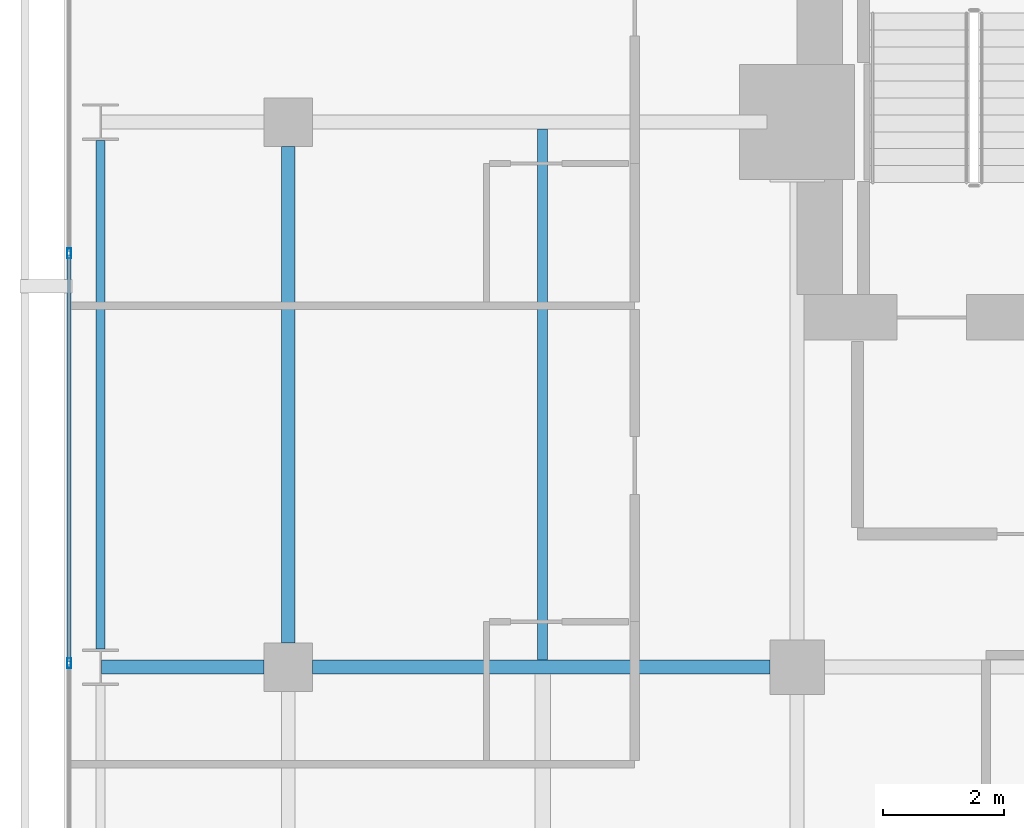
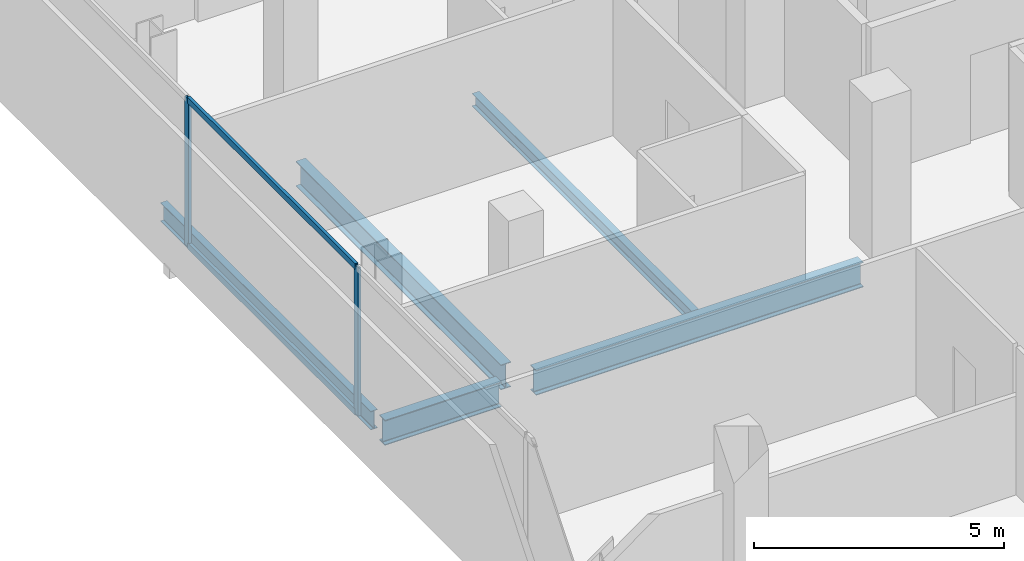
# One storey, part 18 of 34: 5 beams, 4 members, 1 element without a shape of its own.
"""IFC4 building model written with IfcOpenShell, lengths in metres."""

import ifcopenshell
import ifcopenshell.guid

model = None  # the IFC model being written
_history = None  # IfcOwnerHistory: only IFC2X3 demands one
_inside = {}  # id of a spatial element -> (the spatial element, [elements in it])
_under = {}  # id of a project, library or spatial element -> (it, [spatial elements below it])
_declared = {}  # id of a project -> (the project, [libraries it declares])
_typed = {}  # id of a type object -> (the type object, [elements of that type])
_made_of = {}  # id of a material, layer set ... -> (it, [elements and type objects made of it])


def new_model(schema):
    """Start an empty IFC model of exactly this schema.

    Asked for "IFC4X3", IfcOpenShell would pick the latest addendum, in which some entities
    have other attributes; the version numbers below select the first issue.
    IFC2X3 requires an IfcOwnerHistory on every rooted entity: one is made here for all.
    """
    global model, _history
    if schema == "IFC4X3":
        model = ifcopenshell.file(schema_version=(4, 3, 0, 0))
    else:
        model = ifcopenshell.file(schema=schema)
    _inside.clear()
    _under.clear()
    _declared.clear()
    _typed.clear()
    _made_of.clear()
    _history = None
    if model.schema == "IFC2X3":
        org = make("IfcOrganization", Name="unknown")
        user = make(
            "IfcPersonAndOrganization",
            ThePerson=make("IfcPerson", FamilyName="unknown"),
            TheOrganization=org,
        )
        app = make(
            "IfcApplication",
            ApplicationDeveloper=org,
            Version="unknown",
            ApplicationFullName="unknown",
            ApplicationIdentifier="unknown",
        )
        _history = make(
            "IfcOwnerHistory",
            OwningUser=user,
            OwningApplication=app,
            ChangeAction="ADDED",
            CreationDate=0,
        )
    return model


def make(cls, **values):
    """One entity of the class cls with the attributes given. An attribute that is None is left unset."""
    return model.create_entity(
        cls, **{name: value for name, value in values.items() if value is not None}
    )


def rooted(cls, **values):
    """An entity with a GlobalId (a new one), such as an element, a storey or a relation."""
    return make(cls, GlobalId=ifcopenshell.guid.new(), OwnerHistory=_history, **values)


def si_unit(unit_type, name, prefix=None):
    """IfcSIUnit, for example si_unit("LENGTHUNIT", "METRE", prefix="MILLI")."""
    return make("IfcSIUnit", UnitType=unit_type, Prefix=prefix, Name=name)


def assignment(units):
    """IfcUnitAssignment: the units of a project."""
    return None if units is None else make("IfcUnitAssignment", Units=units)


def point(xyz):
    """IfcCartesianPoint."""
    return None if xyz is None else make("IfcCartesianPoint", Coordinates=xyz)


def direction(xyz):
    """IfcDirection."""
    return None if xyz is None else make("IfcDirection", DirectionRatios=xyz)


def frame(location, z_axis=None, x_axis=None):
    """IfcAxis2Placement3D, a coordinate frame: its origin and axes. An axis left out is left unset."""
    return make(
        "IfcAxis2Placement3D",
        Location=point(location),
        Axis=direction(z_axis),
        RefDirection=direction(x_axis),
    )


def frame_2d(location, x_axis=None):
    """IfcAxis2Placement2D, a coordinate frame in the plane: its origin and x axis."""
    return make(
        "IfcAxis2Placement2D", Location=point(location), RefDirection=direction(x_axis)
    )


def origin():
    """The frame at (0, 0, 0) with its axes left unset."""
    return frame((0.0, 0.0, 0.0))


def origin_2d():
    """The frame at (0, 0) in the plane with its x axis left unset."""
    return frame_2d((0.0, 0.0))


def place(relative_to, where):
    """IfcLocalPlacement: puts the frame where relative to a parent placement (None: the world)."""
    return make(
        "IfcLocalPlacement", PlacementRelTo=relative_to, RelativePlacement=where
    )


def context(
    kind, dimensions, precision=None, world=None, true_north=None, identifier=None
):
    """IfcGeometricRepresentationContext, for example the 3D "Model" context."""
    return make(
        "IfcGeometricRepresentationContext",
        ContextIdentifier=identifier,
        ContextType=kind,
        CoordinateSpaceDimension=dimensions,
        Precision=precision,
        WorldCoordinateSystem=world,
        TrueNorth=true_north,
    )


def subcontext(parent, identifier, kind, view, scale=None):
    """IfcGeometricRepresentationSubContext, for example "Body" below "Model"."""
    return make(
        "IfcGeometricRepresentationSubContext",
        ContextIdentifier=identifier,
        ContextType=kind,
        ParentContext=parent,
        TargetScale=scale,
        TargetView=view,
    )


def project(units=None, contexts=None):
    """IfcProject with its units and contexts."""
    return rooted(
        "IfcProject",
        Name="project",
        RepresentationContexts=contexts,
        UnitsInContext=assignment(units),
    )


def spatial(cls, under=None, at=None, **own):
    """A site, building, storey or space (cls), placed at a placement, below another one or the project."""
    s = rooted(cls, ObjectPlacement=at, **own)
    if under is not None:
        _under.setdefault(under.id(), (under, []))[1].append(s)
    return s


def profile(cls, at=None, kind="AREA", **sizes):
    """A parametric profile (cls). Its sizes go by their IFC names, for example OverallWidth=200.0."""
    return make(cls, ProfileType=kind, Position=at, **sizes)


def hollow_rectangle(**sizes):
    """IfcRectangleHollowProfileDef."""
    return profile("IfcRectangleHollowProfileDef", **sizes)


def i_section(**sizes):
    """IfcIShapeProfileDef."""
    return profile("IfcIShapeProfileDef", **sizes)


def extrude(swept, where, along, depth):
    """IfcExtrudedAreaSolid: the profile swept, set in the frame where, extruded along a direction by depth."""
    return make(
        "IfcExtrudedAreaSolid",
        SweptArea=swept,
        Position=where,
        ExtrudedDirection=direction(along),
        Depth=depth,
    )


def shape(context_of_items, identifier, shape_type, items):
    """IfcShapeRepresentation: the items that make up one representation, for example the "Body"."""
    return make(
        "IfcShapeRepresentation",
        ContextOfItems=context_of_items,
        RepresentationIdentifier=identifier,
        RepresentationType=shape_type,
        Items=items,
    )


def material(Name=None, Category=None):
    """IfcMaterial."""
    return make("IfcMaterial", Name=Name, Category=Category)


def layer(
    of_material, thickness, ventilated=None, Name=None, Category=None, Priority=None
):
    """IfcMaterialLayer: one layer of a wall or slab, of a material (None: an air gap)."""
    return make(
        "IfcMaterialLayer",
        Material=of_material,
        LayerThickness=thickness,
        IsVentilated=ventilated,
        Name=Name,
        Category=Category,
        Priority=Priority,
    )


def layer_set(layers, Name=None):
    """IfcMaterialLayerSet."""
    return make("IfcMaterialLayerSet", MaterialLayers=layers, LayerSetName=Name)


def material_profile(
    of_material, cross_section, Name=None, Category=None, Priority=None
):
    """IfcMaterialProfile: a cross section and its material."""
    return make(
        "IfcMaterialProfile",
        Name=Name,
        Material=of_material,
        Profile=cross_section,
        Priority=Priority,
        Category=Category,
    )


def profile_set(profiles, Name=None, composite=None):
    """IfcMaterialProfileSet."""
    return make(
        "IfcMaterialProfileSet",
        Name=Name,
        MaterialProfiles=profiles,
        CompositeProfile=composite,
    )


def made_of(thing, what):
    """Note that an element or type object is made of a material, layer set ...; save() writes the relation."""
    if what is not None:
        _made_of.setdefault(what.id(), (what, []))[1].append(thing)
    return thing


def type_object(cls, material=None, **own):
    """A type object (cls), such as IfcWallType, which elements share."""
    return made_of(rooted(cls, **own), material)


def element(
    cls,
    number,
    at=None,
    inside=None,
    cuts=None,
    type_object=None,
    material=None,
    context=None,
    identifier="Body",
    shape_type=None,
    held_by="IfcProductDefinitionShape",
    body=None,
    shapes=None,
    **own,
):
    """One element of the class cls, such as IfcWall. Its Tag is "e" and its number.

    at: its placement. inside: the storey or other place that contains it. cuts: it is an
    opening in that element (IfcRelVoidsElement). A single representation is given by context,
    identifier, shape_type and body (its items); several are given by shapes. held_by: the class
    of the entity that holds the representations. save() writes the other relations.
    """
    e = rooted(cls, Tag="e%d" % number, ObjectPlacement=at, **own)
    if body is not None:
        shapes = [shape(context, identifier, shape_type, body)]
    if shapes is not None:
        e.Representation = make(held_by, Representations=shapes)
    if inside is not None:
        _inside.setdefault(inside.id(), (inside, []))[1].append(e)
    if cuts is not None:
        rooted(
            "IfcRelVoidsElement", RelatingBuildingElement=cuts, RelatedOpeningElement=e
        )
    if type_object is not None:
        _typed.setdefault(type_object.id(), (type_object, []))[1].append(e)
    return made_of(e, material)


def aggregate(whole, parts):
    """IfcRelAggregates: a whole, such as a stair, and the parts it consists of."""
    return rooted("IfcRelAggregates", RelatingObject=whole, RelatedObjects=parts)


def save(model, path):
    """Write the relations noted so far, then the file.

    IfcRelAggregates (storeys below a building ...), IfcRelContainedInSpatialStructure (elements
    in a storey), IfcRelDefinesByType, IfcRelAssociatesMaterial and IfcRelDeclares: one each for
    every whole, place, type object, material and project.
    """
    for whole, parts in _under.values():
        aggregate(whole, parts)
    for where, things in _inside.values():
        rooted(
            "IfcRelContainedInSpatialStructure",
            RelatedElements=things,
            RelatingStructure=where,
        )
    for kind, things in _typed.values():
        rooted("IfcRelDefinesByType", RelatedObjects=things, RelatingType=kind)
    for what, things in _made_of.values():
        rooted("IfcRelAssociatesMaterial", RelatedObjects=things, RelatingMaterial=what)
    for by, libraries in _declared.values():
        rooted("IfcRelDeclares", RelatingContext=by, RelatedDefinitions=libraries)
    model.write(path)


model = new_model("IFC4")

# Units and contexts
model_context = context("Model", 3, precision=1e-05, world=origin(), true_north=direction((0.0, 1.0)))
body_context = subcontext(model_context, "Body", "Model", "MODEL_VIEW")
ifc_project = project(units=[si_unit("LENGTHUNIT", "METRE"), si_unit("AREAUNIT", "SQUARE_METRE"), si_unit("VOLUMEUNIT", "CUBIC_METRE"), si_unit("PLANEANGLEUNIT", "RADIAN"), si_unit("MASSUNIT", "GRAM", prefix="KILO")], contexts=[model_context])

# Site, building, storey
site_placement = place(None, origin())
site = spatial("IfcSite", under=ifc_project, at=site_placement, CompositionType="ELEMENT")
building_placement = place(site_placement, origin())
building = spatial("IfcBuilding", under=site, at=building_placement, Name="Maruvema Waterfront Hotel and Observation Tower", CompositionType="ELEMENT")
storey_placement = place(building_placement, frame((0.0, 0.0, 127.39990234375)))
storey = spatial("IfcBuildingStorey", under=building, at=storey_placement, Name="L30", CompositionType="ELEMENT", Elevation=127.39990234375)

# Curtain wall, members
ifc_material_1 = material(Name="Anodised bronze aluminium and solar-control low-E IGU", Category="aluminium")
ifc_layer = layer(ifc_material_1, 0.159912109375, Name="Zone 2 Amber Inner Thermal Curtain Wall System CW-03")
ifc_layer_set = layer_set([ifc_layer], Name="Anodised bronze aluminium and solar-control low-E IGU")
curtain_wall_type = type_object("IfcCurtainWallType", Name="Zone 2 Amber Inner Thermal Curtain Wall System CW-03", PredefinedType="USERDEFINED", material=ifc_layer_set)
curtain_wall_placement = place(storey_placement, origin())
curtain_wall = element("IfcCurtainWall", 1, at=curtain_wall_placement, inside=storey, type_object=curtain_wall_type, Name="L30 Curtain Wall CW-L30-W", ObjectType="UNITISED CURTAIN WALL", PredefinedType="USERDEFINED")
ifc_material_2 = material(Name="Anodised architectural bronze aluminium", Category="aluminium")
ifc_material_profile_1 = material_profile(ifc_material_2, hollow_rectangle(XDim=0.070068359375, YDim=0.14990234375, WallThickness=0.00390625, at=origin_2d()), Name="ALU-T70x150")
ifc_profile_set_1 = profile_set([ifc_material_profile_1], Name="Anodised architectural bronze aluminium")
member_type_1 = type_object("IfcMemberType", Name="Curtain Wall Horizontal Transom ALU-T70x150", PredefinedType="USERDEFINED", material=ifc_profile_set_1)
member_1_placement = place(storey_placement, frame((13.179931640625, 42.80322265625, 0.030029296875), z_axis=(0.0, -1.0, 0.0), x_axis=(1.0, 0.0, 0.0)))
member_1 = element("IfcMember", 2, at=member_1_placement, type_object=member_type_1, Name="CW-03 transom 2.1", ObjectType="TRANSOM", PredefinedType="USERDEFINED", context=body_context, shape_type="SweptSolid", body=[
    extrude(hollow_rectangle(XDim=0.070068359375, YDim=0.14990234375, WallThickness=0.00390625, at=origin_2d()), origin(), (0.0, 0.0, 1.0), 6.70654296875),
])
member_2_placement = place(storey_placement, frame((13.179931640625, 42.80322265625, 3.580078125), z_axis=(0.0, -1.0, 0.0), x_axis=(1.0, 0.0, 0.0)))
member_2 = element("IfcMember", 3, at=member_2_placement, type_object=member_type_1, Name="CW-03 transom 2.2", ObjectType="TRANSOM", PredefinedType="USERDEFINED", context=body_context, shape_type="SweptSolid", body=[
    extrude(hollow_rectangle(XDim=0.070068359375, YDim=0.14990234375, WallThickness=0.00390625, at=origin_2d()), origin(), (0.0, 0.0, 1.0), 6.70654296875),
])
ifc_material_3 = material(Name="Anodised architectural bronze aluminium", Category="aluminium")
ifc_material_profile_2 = material_profile(ifc_material_3, hollow_rectangle(XDim=0.06494140625, YDim=0.1650390625, WallThickness=0.00390625, at=origin_2d()), Name="ALU-M65x165")
ifc_profile_set_2 = profile_set([ifc_material_profile_2], Name="Anodised architectural bronze aluminium")
member_type_2 = type_object("IfcMemberType", Name="Curtain Wall Primary Mullion ALU-M65x165", PredefinedType="MULLION", material=ifc_profile_set_2)
member_3_placement = place(storey_placement, frame((13.179931640625, 42.833251953125, 0.0), z_axis=(0.0, 0.0, 1.0), x_axis=(1.0, 0.0, 0.0)))
member_3 = element("IfcMember", 4, at=member_3_placement, type_object=member_type_2, Name="CW-03 mullion 2", PredefinedType="MULLION", context=body_context, shape_type="SweptSolid", body=[
    extrude(hollow_rectangle(XDim=0.06494140625, YDim=0.1650390625, WallThickness=0.00390625, at=origin_2d()), origin(), (0.0, 0.0, 1.0), 3.610107421875),
])
member_4_placement = place(storey_placement, frame((13.179931640625, 36.066650390625, 0.0), z_axis=(0.0, 0.0, 1.0), x_axis=(1.0, 0.0, 0.0)))
member_4 = element("IfcMember", 5, at=member_4_placement, type_object=member_type_2, Name="CW-03 mullion 3", PredefinedType="MULLION", context=body_context, shape_type="SweptSolid", body=[
    extrude(hollow_rectangle(XDim=0.06494140625, YDim=0.1650390625, WallThickness=0.00390625, at=origin_2d()), origin(), (0.0, 0.0, 1.0), 3.610107421875),
])
aggregate(curtain_wall, [member_3, member_4, member_1, member_2])

# Beams
ifc_material_4 = material(Name="Steel ASTM A572 Grade 50", Category="steel")
ifc_material_profile_3 = material_profile(ifc_material_4, i_section(OverallWidth=0.153076171875, OverallDepth=0.455078125, WebThickness=0.008056640625, FlangeThickness=0.01318359375, FilletRadius=0.014892578125, at=origin_2d()), Name="W460x60.0")
ifc_profile_set_3 = profile_set([ifc_material_profile_3], Name="Steel ASTM A572 Grade 50")
beam_type_1 = type_object("IfcBeamType", Name="Perimeter Spandrel Beam W460x60.0", PredefinedType="SPANDREL", material=ifc_profile_set_3)
beam_1_placement = place(storey_placement, frame((13.699951171875, 36.300048828125, -0.46728515625), z_axis=(0.0, 1.0, 0.0), x_axis=(-1.0, 0.0, 0.0)))
element("IfcBeam", 6, at=beam_1_placement, inside=storey, type_object=beam_type_1, Name="L30 Floor Girder NS-04", PredefinedType="SPANDREL", context=body_context, shape_type="SweptSolid", body=[
    extrude(i_section(OverallWidth=0.153076171875, OverallDepth=0.455078125, WebThickness=0.008056640625, FlangeThickness=0.01318359375, FilletRadius=0.014892578125, at=origin_2d()), origin(), (0.0, 0.0, 1.0), 8.39990234375),
])
ifc_material_5 = material(Name="Steel ASTM A572 Grade 50", Category="steel")
ifc_material_profile_4 = material_profile(ifc_material_5, i_section(OverallWidth=0.22900390625, OverallDepth=0.612060546875, WebThickness=0.011962890625, FlangeThickness=0.01953125, FilletRadius=0.01806640625, at=origin_2d()), Name="W610x125.0")
ifc_profile_set_4 = profile_set([ifc_material_profile_4], Name="Steel ASTM A572 Grade 50")
beam_type_2 = type_object("IfcBeamType", Name="Primary Floor Girder W610x125.0", PredefinedType="BEAM", material=ifc_profile_set_4)
beam_2_placement = place(storey_placement, frame((13.71240234375, 36.0, -0.5458984375), z_axis=(1.0, 0.0, 0.0), x_axis=(0.0, 1.0, 0.0)))
element("IfcBeam", 7, at=beam_2_placement, inside=storey, type_object=beam_type_2, Name="L30 Floor Girder EW-23", PredefinedType="BEAM", context=body_context, shape_type="SweptSolid", body=[
    extrude(i_section(OverallWidth=0.22900390625, OverallDepth=0.612060546875, WebThickness=0.011962890625, FlangeThickness=0.01953125, FilletRadius=0.01806640625, at=origin_2d()), origin(), (0.0, 0.0, 1.0), 2.6875),
])
beam_3_placement = place(storey_placement, frame((17.199951171875, 36.0, -0.5458984375), z_axis=(1.0, 0.0, 0.0), x_axis=(0.0, 1.0, 0.0)))
element("IfcBeam", 8, at=beam_3_placement, inside=storey, type_object=beam_type_2, Name="L30 Floor Girder EW-24", PredefinedType="BEAM", context=body_context, shape_type="SweptSolid", body=[
    extrude(i_section(OverallWidth=0.22900390625, OverallDepth=0.612060546875, WebThickness=0.011962890625, FlangeThickness=0.01953125, FilletRadius=0.01806640625, at=origin_2d()), origin(), (0.0, 0.0, 1.0), 7.550048828125),
])
beam_4_placement = place(storey_placement, frame((16.800048828125, 36.39990234375, -0.5458984375), z_axis=(0.0, 1.0, 0.0), x_axis=(-1.0, 0.0, 0.0)))
element("IfcBeam", 9, at=beam_4_placement, inside=storey, type_object=beam_type_2, Name="L30 Floor Girder NS-08", PredefinedType="BEAM", context=body_context, shape_type="SweptSolid", body=[
    extrude(i_section(OverallWidth=0.22900390625, OverallDepth=0.612060546875, WebThickness=0.011962890625, FlangeThickness=0.01953125, FilletRadius=0.01806640625, at=origin_2d()), origin(), (0.0, 0.0, 1.0), 8.2001953125),
])
ifc_material_6 = material(Name="Steel ASTM A572 Grade 50", Category="steel")
ifc_material_profile_5 = material_profile(ifc_material_6, i_section(OverallWidth=0.1669921875, OverallDepth=0.31689453125, WebThickness=0.007568359375, FlangeThickness=0.01318359375, FilletRadius=0.012939453125, at=origin_2d()), Name="W310x52.0")
ifc_profile_set_5 = profile_set([ifc_material_profile_5], Name="Steel ASTM A572 Grade 50")
beam_type_3 = type_object("IfcBeamType", Name="Secondary Floor Joist W310x52.0", PredefinedType="JOIST", material=ifc_profile_set_5)
beam_5_placement = place(storey_placement, frame((21.0, 36.114501953125, -0.3984375), z_axis=(0.0, 1.0, 0.0), x_axis=(-1.0, 0.0, 0.0)))
element("IfcBeam", 10, at=beam_5_placement, inside=storey, type_object=beam_type_3, Name="L30 Secondary Floor Joist JS-04", PredefinedType="JOIST", context=body_context, shape_type="SweptSolid", body=[
    extrude(i_section(OverallWidth=0.1669921875, OverallDepth=0.31689453125, WebThickness=0.007568359375, FlangeThickness=0.01318359375, FilletRadius=0.012939453125, at=origin_2d()), origin(), (0.0, 0.0, 1.0), 8.77099609375),
])

save(model, "model.ifc")
